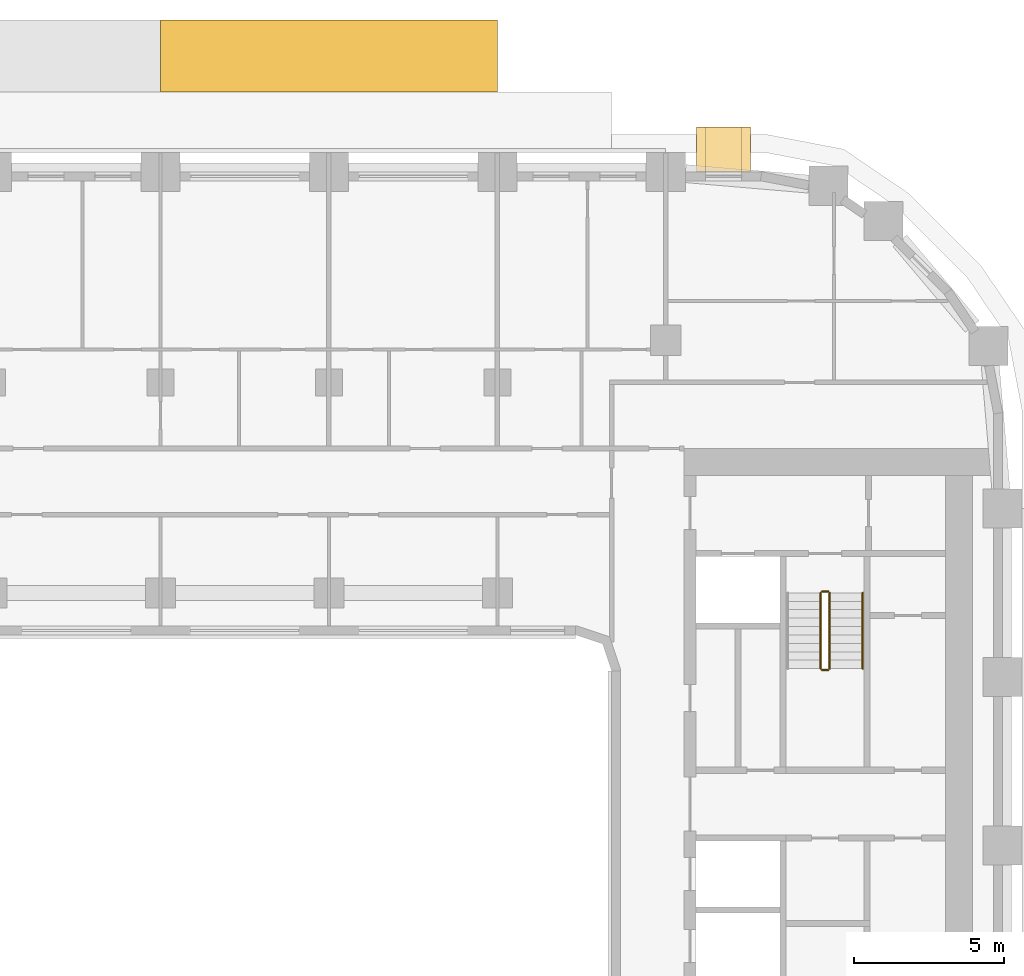
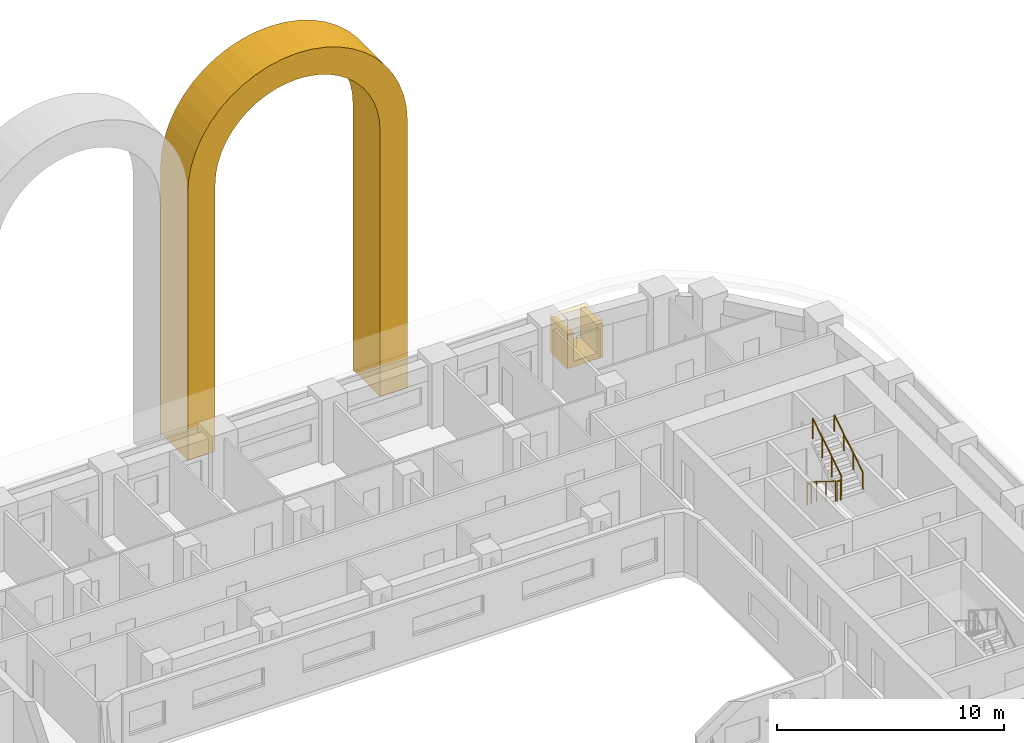
# One storey, part 19 of 19: 5 railings, 3 coverings.
"""IFC4 building model written with IfcOpenShell, lengths in metres."""

from ifc_helpers import new_model, si_unit, direction, frame, origin, origin_2d, place, context, subcontext, project, spatial, polyline, rectangle, circle, outline, extrude, material, layer, layer_set, type_object, element, save


model = new_model("IFC4")

# Units and contexts
model_context = context("Model", 3, precision=1e-05, world=origin(), true_north=direction((0.0, 1.0)))
body_context = subcontext(model_context, "Body", "Model", "MODEL_VIEW")
ifc_project = project(units=[si_unit("LENGTHUNIT", "METRE"), si_unit("AREAUNIT", "SQUARE_METRE"), si_unit("VOLUMEUNIT", "CUBIC_METRE"), si_unit("PLANEANGLEUNIT", "RADIAN"), si_unit("MASSUNIT", "GRAM", prefix="KILO")], contexts=[model_context])

# Site, building, storey
site_placement = place(None, origin())
site = spatial("IfcSite", under=ifc_project, at=site_placement, CompositionType="ELEMENT")
building_placement = place(site_placement, origin())
building = spatial("IfcBuilding", under=site, at=building_placement, Name="Kiln Ring Residences", CompositionType="ELEMENT")
storey_placement = place(building_placement, frame((0.0, 0.0, 104.300048828125)))
storey = spatial("IfcBuildingStorey", under=building, at=storey_placement, Name="L26", CompositionType="ELEMENT", Elevation=104.300048828125)

# Covering
ifc_material_1 = material(Name="Brick masonry, dark clay brick", Category="masonry")
ifc_layer_1 = layer(ifc_material_1, 1.39990234375)
ifc_layer_set_1 = layer_set([ifc_layer_1], Name="ARCH SURROUND 2400")
covering_type_1 = type_object("IfcCoveringType", Name="ARCH SURROUND 2400", PredefinedType="CLADDING", material=ifc_layer_set_1)
covering_1_placement = place(storey_placement, frame((0.0, 26.25, 0.0), z_axis=(0.0, 0.0, 1.0), x_axis=(1.0, 0.0, 0.0)))
element("IfcCovering", 1, at=covering_1_placement, inside=storey, type_object=covering_type_1, Name="ARCH SURROUND Z2 N2.2", PredefinedType="CLADDING", context=body_context, shape_type="SweptSolid", body=[
    extrude(outline(polyline([(0.0, 0.0), (0.0, 14.39990234375), (0.0478515625, 15.130859375), (0.19091796875, 15.849365234375), (0.42626953125, 16.54296875), (0.750244140625, 17.199951171875), (1.1572265625, 17.80908203125), (1.64013671875, 18.35986328125), (2.19091796875, 18.8427734375), (2.800048828125, 19.249755859375), (3.45703125, 19.57373046875), (4.150634765625, 19.80908203125), (4.869140625, 19.9521484375), (5.60009765625, 20.0), (6.330810546875, 19.9521484375), (7.04931640625, 19.80908203125), (7.742919921875, 19.57373046875), (8.39990234375, 19.249755859375), (9.009033203125, 18.8427734375), (9.559814453125, 18.35986328125), (10.042724609375, 17.80908203125), (10.44970703125, 17.199951171875), (10.773681640625, 16.54296875), (11.00927734375, 15.849365234375), (11.152099609375, 15.130859375), (11.199951171875, 14.39990234375), (11.199951171875, 0.0), (9.800048828125, 0.0), (9.800048828125, 14.39990234375), (9.76416015625, 14.9482421875), (9.656982421875, 15.487060546875), (9.480224609375, 16.00732421875), (9.2373046875, 16.5), (8.93212890625, 16.956787109375), (8.56982421875, 17.369873046875), (8.15673828125, 17.73193359375), (7.699951171875, 18.037353515625), (7.207275390625, 18.2802734375), (6.68701171875, 18.456787109375), (6.148193359375, 18.56396484375), (5.60009765625, 18.599853515625), (5.0517578125, 18.56396484375), (4.512939453125, 18.456787109375), (3.99267578125, 18.2802734375), (3.5, 18.037353515625), (3.043212890625, 17.73193359375), (2.630126953125, 17.369873046875), (2.267822265625, 16.956787109375), (1.962646484375, 16.5), (1.7197265625, 16.00732421875), (1.543212890625, 15.487060546875), (1.435791015625, 14.9482421875), (1.39990234375, 14.39990234375), (1.39990234375, 0.0), (0.0, 0.0)])), frame((0.0, 1.199951171875, 0.0), z_axis=(0.0, -1.0, 0.0), x_axis=(1.0, 0.0, 0.0)), (0.0, 0.0, 1.0), 2.39990234375),
])

# Railings
ifc_material_2 = material(Name="Stainless steel", Category="steel")
railing_type_1 = type_object("IfcRailingType", Name="CORE-STAIR-GUARD", PredefinedType="GUARDRAIL", material=ifc_material_2)
railing_1_placement = place(storey_placement, frame((21.949951171875, 8.39990234375, 0.175048828125)))
element("IfcRailing", 2, at=railing_1_placement, inside=storey, type_object=railing_type_1, Name="L26 E-STN stair guard 1", PredefinedType="GUARDRAIL", context=body_context, shape_type="SweptSolid", body=[
    extrude(circle(Radius=0.02392578125, at=origin_2d()), frame((0.0, 0.0, 1.076171875), z_axis=(0.0, -0.848007534815, 0.529984170421), x_axis=(1.0, 0.0, 0.0)), (0.0, 0.0, 1.0), 2.9716796875),
    extrude(circle(Radius=0.02099609375, at=origin_2d()), origin(), (0.0, 0.0, 1.0), 1.052001953125),
    extrude(circle(Radius=0.02099609375, at=origin_2d()), frame((0.0, -0.840087890625, 0.52490234375)), (0.0, 0.0, 1.0), 1.052001953125),
    extrude(circle(Radius=0.02099609375, at=origin_2d()), frame((0.0, -1.679931640625, 1.050048828125)), (0.0, 0.0, 1.0), 1.052001953125),
    extrude(circle(Radius=0.02099609375, at=origin_2d()), frame((0.0, -2.52001953125, 1.574951171875)), (0.0, 0.0, 1.0), 1.052001953125),
])
railing_2_placement = place(storey_placement, frame((22.0, 5.830078125, 1.75)))
element("IfcRailing", 3, at=railing_2_placement, inside=storey, type_object=railing_type_1, Name="L26 E-STN stair guard 2", PredefinedType="GUARDRAIL", context=body_context, shape_type="SweptSolid", body=[
    extrude(circle(Radius=0.02392578125, at=origin_2d()), frame((0.0, 0.0, 1.076171875), z_axis=(1.0, 0.0, 0.0), x_axis=(0.0, 1.0, 0.0)), (0.0, 0.0, 1.0), 0.199951171875),
    extrude(circle(Radius=0.02099609375, at=origin_2d()), origin(), (0.0, 0.0, 1.0), 1.052001953125),
    extrude(circle(Radius=0.02099609375, at=origin_2d()), frame((0.199951171875, 0.0, 0.0)), (0.0, 0.0, 1.0), 1.052001953125),
])
railing_3_placement = place(storey_placement, frame((22.25, 5.8798828125, 1.925048828125)))
element("IfcRailing", 4, at=railing_3_placement, inside=storey, type_object=railing_type_1, Name="L26 E-STN stair guard 3", PredefinedType="GUARDRAIL", context=body_context, shape_type="SweptSolid", body=[
    extrude(circle(Radius=0.02392578125, at=origin_2d()), frame((0.0, 0.0, 1.076171875), z_axis=(0.0, 0.848007534815, 0.529984170421), x_axis=(-1.0, 0.0, 0.0)), (0.0, 0.0, 1.0), 2.9716796875),
    extrude(circle(Radius=0.02099609375, at=origin_2d()), origin(), (0.0, 0.0, 1.0), 1.052001953125),
    extrude(circle(Radius=0.02099609375, at=origin_2d()), frame((0.0, 0.840087890625, 0.52490234375)), (0.0, 0.0, 1.0), 1.052001953125),
    extrude(circle(Radius=0.02099609375, at=origin_2d()), frame((0.0, 1.679931640625, 1.050048828125)), (0.0, 0.0, 1.0), 1.052001953125),
    extrude(circle(Radius=0.02099609375, at=origin_2d()), frame((0.0, 2.52001953125, 1.574951171875)), (0.0, 0.0, 1.0), 1.052001953125),
])
railing_4_placement = place(storey_placement, frame((22.0, 8.449951171875, 0.0)))
element("IfcRailing", 5, at=railing_4_placement, inside=storey, type_object=railing_type_1, Name="L26 E-STN stair guard 4", PredefinedType="GUARDRAIL", context=body_context, shape_type="SweptSolid", body=[
    extrude(circle(Radius=0.02392578125, at=origin_2d()), frame((0.0, 0.0, 1.076171875), z_axis=(1.0, 0.0, 0.0), x_axis=(0.0, 1.0, 0.0)), (0.0, 0.0, 1.0), 0.199951171875),
    extrude(circle(Radius=0.02099609375, at=origin_2d()), origin(), (0.0, 0.0, 1.0), 1.052001953125),
    extrude(circle(Radius=0.02099609375, at=origin_2d()), frame((0.199951171875, 0.0, 0.0)), (0.0, 0.0, 1.0), 1.052001953125),
])
ifc_material_3 = material(Name="Stainless steel", Category="steel")
railing_type_2 = type_object("IfcRailingType", Name="CORE-STAIR-HANDRAIL", PredefinedType="HANDRAIL", material=ifc_material_3)
railing_5_placement = place(storey_placement, frame((23.35009765625, 5.8798828125, 1.925048828125)))
element("IfcRailing", 6, at=railing_5_placement, inside=storey, type_object=railing_type_2, Name="L26 E-STN stair handrail 2", PredefinedType="HANDRAIL", context=body_context, shape_type="SweptSolid", body=[
    extrude(circle(Radius=0.02392578125, at=origin_2d()), frame((0.0, 0.0, 0.8759765625), z_axis=(0.0, 0.848007534815, 0.529984170421), x_axis=(-1.0, 0.0, 0.0)), (0.0, 0.0, 1.0), 2.9716796875),
    extrude(circle(Radius=0.02099609375, at=origin_2d()), origin(), (0.0, 0.0, 1.0), 0.851806640625),
    extrude(circle(Radius=0.02099609375, at=origin_2d()), frame((0.0, 0.840087890625, 0.52490234375)), (0.0, 0.0, 1.0), 0.851806640625),
    extrude(circle(Radius=0.02099609375, at=origin_2d()), frame((0.0, 1.679931640625, 1.050048828125)), (0.0, 0.0, 1.0), 0.851806640625),
    extrude(circle(Radius=0.02099609375, at=origin_2d()), frame((0.0, 2.52001953125, 1.574951171875)), (0.0, 0.0, 1.0), 0.851806640625),
])

# Coverings
ifc_material_4 = material(Name="Brick masonry, dark clay brick", Category="masonry")
ifc_layer_2 = layer(ifc_material_4, 0.300048828125)
ifc_layer_set_2 = layer_set([ifc_layer_2], Name="FRAME CHEEKS AND SILL 1500")
covering_type_2 = type_object("IfcCoveringType", Name="FRAME CHEEKS AND SILL 1500", PredefinedType="CLADDING", material=ifc_layer_set_2)
covering_2_placement = place(storey_placement, frame((19.625, 23.14990234375, 0.300048828125), z_axis=(0.0, 0.0, 1.0), x_axis=(-1.0, 0.0, 0.0)))
element("IfcCovering", 7, at=covering_2_placement, inside=storey, type_object=covering_type_2, Name="FRAME L26", PredefinedType="CLADDING", context=body_context, shape_type="SweptSolid", body=[
    extrude(outline(polyline([(0.0, 0.0), (1.800048828125, 0.0), (1.800048828125, 1.849853515625), (1.5009765625, 1.849853515625), (1.5, 0.2998046875), (0.300048828125, 0.2998046875), (0.299072265625, 1.849853515625), (0.0, 1.849853515625), (0.0, 0.0)])), frame((0.0, 0.75, 0.0), z_axis=(0.0, -1.0, 0.0), x_axis=(1.0, 0.0, 0.0)), (0.0, 0.0, 1.0), 1.5),
])
ifc_material_5 = material(Name="Brick masonry, dark clay brick", Category="masonry")
ifc_layer_3 = layer(ifc_material_5, 0.199951171875)
ifc_layer_set_3 = layer_set([ifc_layer_3], Name="FRAME HEAD 1500")
covering_type_3 = type_object("IfcCoveringType", Name="FRAME HEAD 1500", PredefinedType="CLADDING", material=ifc_layer_set_3)
covering_3_placement = place(storey_placement, frame((18.72509765625, 23.14990234375, 2.14990234375), z_axis=(0.0, 0.0, 1.0), x_axis=(-1.0, 0.0, 0.0)))
element("IfcCovering", 8, at=covering_3_placement, inside=storey, type_object=covering_type_3, Name="FRAME HEAD L26", PredefinedType="CLADDING", context=body_context, shape_type="SweptSolid", body=[
    extrude(rectangle(XDim=1.800048828125, YDim=1.5, at=origin_2d()), origin(), (0.0, 0.0, 1.0), 0.199951171875),
])

save(model, "model.ifc")
